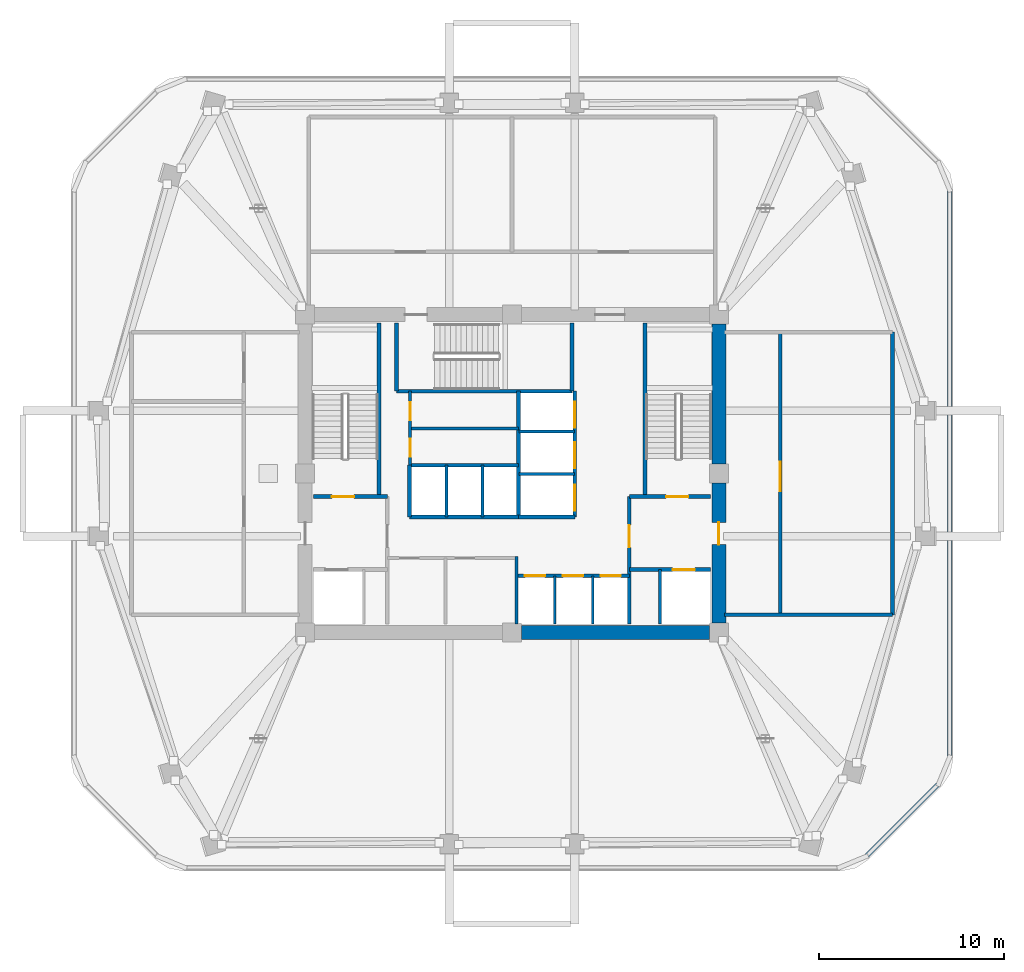
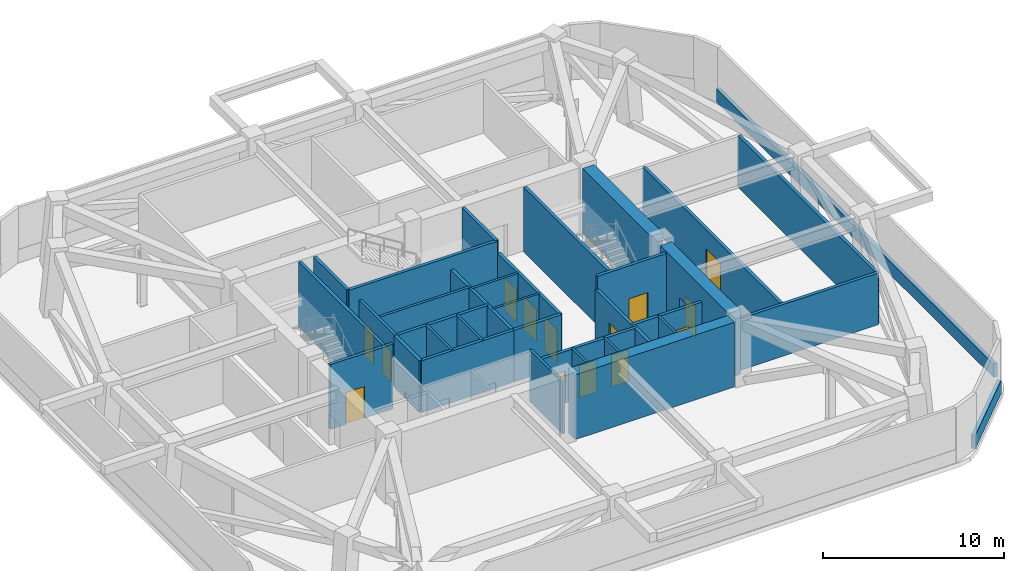
# One storey, part 4 of 8: 34 walls, 14 doors, 14 openings.
"""IFC4 building model written with IfcOpenShell, lengths in metres."""

from ifc_helpers import new_model, si_unit, derived_unit, direction, frame, frame_2d, origin, place, context, subcontext, project, spatial, rectangle, extrude, material, layer, layer_set, type_object, element, fill, save


model = new_model("IFC4")

# Units and contexts
model_context = context("Model", 3, precision=1e-05, world=origin(), true_north=direction((0.0, 1.0)))
body_context = subcontext(model_context, "Body", "Model", "MODEL_VIEW")
ifc_project = project(units=[si_unit("LENGTHUNIT", "METRE"), si_unit("AREAUNIT", "SQUARE_METRE"), si_unit("VOLUMEUNIT", "CUBIC_METRE"), si_unit("PLANEANGLEUNIT", "RADIAN"), si_unit("MASSUNIT", "GRAM", prefix="KILO"), derived_unit("THERMALTRANSMITTANCEUNIT", [(si_unit("POWERUNIT", "WATT"), 1), (si_unit("LENGTHUNIT", "METRE"), -2), (si_unit("THERMODYNAMICTEMPERATUREUNIT", "KELVIN"), -1)])], contexts=[model_context])

# Site, building, storey
site_placement = place(None, origin())
site = spatial("IfcSite", under=ifc_project, at=site_placement, CompositionType="ELEMENT")
building_placement = place(site_placement, origin())
building = spatial("IfcBuilding", under=site, at=building_placement, Name="Koralith Skygarden Medical Center", CompositionType="ELEMENT")
storey_placement = place(building_placement, frame((0.0, 0.0, 124.3798828125)))
storey = spatial("IfcBuildingStorey", under=building, at=storey_placement, Name="L32", CompositionType="ELEMENT", Elevation=124.3798828125)

# Wall, opening, door
ifc_material_1 = material(Name="Gypsum Board Partition")
ifc_layer_1 = layer(ifc_material_1, 0.199951171875)
ifc_layer_set_1 = layer_set([ifc_layer_1], Name="Gypsum Board Partition")
wall_type_1 = type_object("IfcWallType", Name="Fire Shaft Wall 200", PredefinedType="SOLIDWALL", material=ifc_layer_set_1)
wall_1_placement = place(storey_placement, frame((43.35009765625, 20.699951171875, 0.0), z_axis=(0.0, 0.0, 1.0), x_axis=(1.0, 0.0, 0.0)))
wall_1 = element("IfcWall", 1, at=wall_1_placement, inside=storey, type_object=wall_type_1, Name="L32 Fire Shaft Wall 200 W-CORE-L32-FF2-N", PredefinedType="SOLIDWALL", context=body_context, shape_type="SweptSolid", body=[
    extrude(rectangle(XDim=4.39990234375, YDim=0.199951171875, at=frame_2d((2.199951171875, 0.0))), origin(), (0.0, 0.0, 1.0), 3.490234375),
])
opening_1_placement = place(wall_1_placement, frame((2.35009765625, 0.0, 0.0)))
opening_1 = element("IfcOpeningElement", 2, at=opening_1_placement, cuts=wall_1, Name="Opening LD-FF", PredefinedType="OPENING", context=body_context, shape_type="SweptSolid", body=[
    extrude(rectangle(XDim=1.199951171875, YDim=2.14990234375, at=frame_2d((0.60009765625, 1.074951171875))), frame((0.0, 0.10986328125, 0.0), z_axis=(0.0, -1.0, 0.0), x_axis=(1.0, 0.0, 0.0)), (0.0, 0.0, 1.0), 0.219970703125),
])
ifc_material_2 = material(Name="Steel ASTM A500 Grade C", Category="steel")
door_type_1 = type_object("IfcDoorType", Name="Fire Lift Sliding Landing Door LD-FF 1200", OperationType="NOTDEFINED", PredefinedType="DOOR", material=ifc_material_2)
door_1_placement = place(opening_1_placement, origin())
door_1 = element("IfcDoor", 3, at=door_1_placement, inside=storey, type_object=door_type_1, Name="L32 Fire Service Elevator FF2 Landing Door", OperationType="SLIDING_TO_RIGHT", OverallHeight=2.14990234375, OverallWidth=1.199951171875, PredefinedType="DOOR", context=body_context, shape_type="SweptSolid", body=[
    extrude(rectangle(XDim=1.199951171875, YDim=2.14990234375, at=frame_2d((0.60009765625, 1.074951171875))), frame((0.0, 0.02490234375, 0.0), z_axis=(0.0, -1.0, 0.0), x_axis=(1.0, 0.0, 0.0)), (0.0, 0.0, 1.0), 0.050048828125),
])
fill(opening_1, door_1)

wall_2_placement = place(storey_placement, frame((43.35009765625, 17.75, 0.0), z_axis=(0.0, 0.0, 1.0), x_axis=(0.0, 1.0, 0.0)))
wall_2 = element("IfcWall", 4, at=wall_2_placement, inside=storey, type_object=wall_type_1, Name="L32 Fire Shaft Wall 200 W-CORE-L32-FSAEE-W", PredefinedType="SOLIDWALL", context=body_context, shape_type="SweptSolid", body=[
    extrude(rectangle(XDim=6.89990234375, YDim=0.199951171875, at=frame_2d((3.449951171875, 0.0))), origin(), (0.0, 0.0, 1.0), 3.490234375),
])
opening_2_placement = place(wall_2_placement, frame((4.14990234375, 0.0, 0.0)))
opening_2 = element("IfcOpeningElement", 5, at=opening_2_placement, cuts=wall_2, Name="Opening D-ST60", PredefinedType="OPENING", context=body_context, shape_type="SweptSolid", body=[
    extrude(rectangle(XDim=1.199951171875, YDim=2.14990234375, at=frame_2d((0.60009765625, 1.074951171875))), frame((0.0, 0.10986328125, 0.0), z_axis=(0.0, -1.0, 0.0), x_axis=(1.0, 0.0, 0.0)), (0.0, 0.0, 1.0), 0.219970703125),
])
door_type_2 = type_object("IfcDoorType", Name="Smokeproof Stair Fire Door FD60S 1200", OperationType="NOTDEFINED", PredefinedType="DOOR", material=ifc_material_2)
door_2_placement = place(opening_2_placement, frame((1.199951171875, 0.0, 0.0), z_axis=(0.0, 0.0, 1.0), x_axis=(-1.0, 0.0, 0.0)))
door_2 = element("IfcDoor", 6, at=door_2_placement, inside=storey, type_object=door_type_2, Name="L32 East Firefighting Lobby Inner Fire Door", OperationType="SINGLE_SWING_RIGHT", OverallHeight=2.14990234375, OverallWidth=1.199951171875, PredefinedType="DOOR", context=body_context, shape_type="SweptSolid", body=[
    extrude(rectangle(XDim=1.199951171875, YDim=2.14990234375, at=frame_2d((0.60009765625, 1.074951171875))), frame((0.0, 0.02490234375, 0.0), z_axis=(0.0, -1.0, 0.0), x_axis=(1.0, 0.0, 0.0)), (0.0, 0.0, 1.0), 0.050048828125),
])
fill(opening_2, door_2)

# Wall, openings, doors
wall_3_placement = place(storey_placement, frame((37.25, 20.360107421875, 0.0), z_axis=(0.0, 0.0, 1.0), x_axis=(1.0, 0.0, 0.0)))
wall_3 = element("IfcWall", 7, at=wall_3_placement, inside=storey, type_object=wall_type_1, Name="L32 Fire Shaft Wall 200 W-CORE-L32-PM-N", PredefinedType="SOLIDWALL", context=body_context, shape_type="SweptSolid", body=[
    extrude(rectangle(XDim=6.10009765625, YDim=0.199951171875, at=frame_2d((3.050048828125, 0.0))), origin(), (0.0, 0.0, 1.0), 3.490234375),
])
opening_3_placement = place(wall_3_placement, frame((0.449951171875, 0.0, 0.0)))
opening_3 = element("IfcOpeningElement", 8, at=opening_3_placement, cuts=wall_3, Name="Opening LD-P", PredefinedType="OPENING", context=body_context, shape_type="SweptSolid", body=[
    extrude(rectangle(XDim=1.10009765625, YDim=2.14990234375, at=frame_2d((0.550048828125, 1.074951171875))), frame((0.0, 0.10986328125, 0.0), z_axis=(0.0, -1.0, 0.0), x_axis=(1.0, 0.0, 0.0)), (0.0, 0.0, 1.0), 0.219970703125),
])
opening_4_placement = place(wall_3_placement, frame((2.5, 0.0, 0.0)))
opening_4 = element("IfcOpeningElement", 9, at=opening_4_placement, cuts=wall_3, Name="Opening LD-P", PredefinedType="OPENING", context=body_context, shape_type="SweptSolid", body=[
    extrude(rectangle(XDim=1.10009765625, YDim=2.14990234375, at=frame_2d((0.550048828125, 1.074951171875))), frame((0.0, 0.10986328125, 0.0), z_axis=(0.0, -1.0, 0.0), x_axis=(1.0, 0.0, 0.0)), (0.0, 0.0, 1.0), 0.219970703125),
])
opening_5_placement = place(wall_3_placement, frame((4.550048828125, 0.0, 0.0)))
opening_5 = element("IfcOpeningElement", 10, at=opening_5_placement, cuts=wall_3, Name="Opening LD-P", PredefinedType="OPENING", context=body_context, shape_type="SweptSolid", body=[
    extrude(rectangle(XDim=1.10009765625, YDim=2.14990234375, at=frame_2d((0.550048828125, 1.074951171875))), frame((0.0, 0.10986328125, 0.0), z_axis=(0.0, -1.0, 0.0), x_axis=(1.0, 0.0, 0.0)), (0.0, 0.0, 1.0), 0.219970703125),
])
door_type_3 = type_object("IfcDoorType", Name="Passenger Lift Sliding Landing Door LD-P 1100", OperationType="NOTDEFINED", PredefinedType="DOOR", material=ifc_material_2)
door_3_placement = place(opening_3_placement, origin())
door_3 = element("IfcDoor", 11, at=door_3_placement, inside=storey, type_object=door_type_3, Name="L32 Passenger Elevator PM1 Landing Door", OperationType="SLIDING_TO_LEFT", OverallHeight=2.14990234375, OverallWidth=1.10009765625, PredefinedType="DOOR", context=body_context, shape_type="SweptSolid", body=[
    extrude(rectangle(XDim=1.10009765625, YDim=2.14990234375, at=frame_2d((0.550048828125, 1.074951171875))), frame((0.0, 0.02490234375, 0.0), z_axis=(0.0, -1.0, 0.0), x_axis=(1.0, 0.0, 0.0)), (0.0, 0.0, 1.0), 0.050048828125),
])
fill(opening_3, door_3)
door_4_placement = place(opening_4_placement, origin())
door_4 = element("IfcDoor", 12, at=door_4_placement, inside=storey, type_object=door_type_3, Name="L32 Passenger Elevator PM2 Landing Door", OperationType="SLIDING_TO_LEFT", OverallHeight=2.14990234375, OverallWidth=1.10009765625, PredefinedType="DOOR", context=body_context, shape_type="SweptSolid", body=[
    extrude(rectangle(XDim=1.10009765625, YDim=2.14990234375, at=frame_2d((0.550048828125, 1.074951171875))), frame((0.0, 0.02490234375, 0.0), z_axis=(0.0, -1.0, 0.0), x_axis=(1.0, 0.0, 0.0)), (0.0, 0.0, 1.0), 0.050048828125),
])
fill(opening_4, door_4)
door_5_placement = place(opening_5_placement, origin())
door_5 = element("IfcDoor", 13, at=door_5_placement, inside=storey, type_object=door_type_3, Name="L32 Passenger Elevator PM3 Landing Door", OperationType="SLIDING_TO_LEFT", OverallHeight=2.14990234375, OverallWidth=1.10009765625, PredefinedType="DOOR", context=body_context, shape_type="SweptSolid", body=[
    extrude(rectangle(XDim=1.10009765625, YDim=2.14990234375, at=frame_2d((0.550048828125, 1.074951171875))), frame((0.0, 0.02490234375, 0.0), z_axis=(0.0, -1.0, 0.0), x_axis=(1.0, 0.0, 0.0)), (0.0, 0.0, 1.0), 0.050048828125),
])
fill(opening_5, door_5)

# Walls
for number, where, z_axis, x_axis, name in (
    (14, (31.449951171875, 23.5400390625, 0.0), (0.0, 0.0, 1.0), (1.0, 0.0, 0.0), "L32 Fire Shaft Wall 200 W-CORE-L32-PH-S"),
    (15, (31.449951171875, 26.35009765625, 0.0), (0.0, 0.0, 1.0), (1.0, 0.0, 0.0), "L32 Fire Shaft Wall 200 W-CORE-L32-PH-N"),
):
    element("IfcWall", number, at=place(storey_placement, frame(where, z_axis=z_axis, x_axis=x_axis)), inside=storey, type_object=wall_type_1, Name=name, PredefinedType="SOLIDWALL", context=body_context, shape_type="SweptSolid", body=[
        extrude(rectangle(XDim=5.900146484375, YDim=0.199951171875, at=frame_2d((2.9501953125, 0.0))), origin(), (0.0, 0.0, 1.0), 3.490234375),
    ])
wall_4_placement = place(storey_placement, frame((31.449951171875, 23.5400390625, 0.0), z_axis=(0.0, 0.0, 1.0), x_axis=(0.0, 1.0, 0.0)))
element("IfcWall", 16, at=wall_4_placement, inside=storey, type_object=wall_type_1, Name="L32 Fire Shaft Wall 200 W-CORE-L32-PH-W", PredefinedType="SOLIDWALL", context=body_context, shape_type="SweptSolid", body=[
    extrude(rectangle(XDim=2.81005859375, YDim=0.199951171875, at=frame_2d((1.405029296875, 0.0))), origin(), (0.0, 0.0, 1.0), 3.490234375),
])
wall_5_placement = place(storey_placement, frame((37.35009765625, 23.5400390625, 0.0), z_axis=(0.0, 0.0, 1.0), x_axis=(0.0, 1.0, 0.0)))
element("IfcWall", 17, at=wall_5_placement, inside=storey, type_object=wall_type_1, Name="L32 Fire Shaft Wall 200 W-CORE-L32-SV-W", PredefinedType="SOLIDWALL", context=body_context, shape_type="SweptSolid", body=[
    extrude(rectangle(XDim=6.820068359375, YDim=0.199951171875, at=frame_2d((3.41015625, 0.0))), origin(), (0.0, 0.0, 1.0), 3.490234375),
])
wall_6_placement = place(storey_placement, frame((37.35009765625, 23.5400390625, 0.0), z_axis=(0.0, 0.0, 1.0), x_axis=(1.0, 0.0, 0.0)))
element("IfcWall", 18, at=wall_6_placement, inside=storey, type_object=wall_type_1, Name="L32 Fire Shaft Wall 200 W-CORE-L32-SV-S", PredefinedType="SOLIDWALL", context=body_context, shape_type="SweptSolid", body=[
    extrude(rectangle(XDim=3.0498046875, YDim=0.199951171875, at=frame_2d((1.52490234375, 0.0))), origin(), (0.0, 0.0, 1.0), 3.490234375),
])

# Wall, openings, doors
wall_7_placement = place(storey_placement, frame((40.39990234375, 23.5400390625, 0.0), z_axis=(0.0, 0.0, 1.0), x_axis=(0.0, 1.0, 0.0)))
wall_7 = element("IfcWall", 19, at=wall_7_placement, inside=storey, type_object=wall_type_1, Name="L32 Fire Shaft Wall 200 W-CORE-L32-SV-E", PredefinedType="SOLIDWALL", context=body_context, shape_type="SweptSolid", body=[
    extrude(rectangle(XDim=6.820068359375, YDim=0.199951171875, at=frame_2d((3.41015625, 0.0))), origin(), (0.0, 0.0, 1.0), 3.490234375),
])
opening_6_placement = place(wall_7_placement, frame((0.35009765625, 0.0, 0.0)))
opening_6 = element("IfcOpeningElement", 20, at=opening_6_placement, cuts=wall_7, Name="Opening LD-SV", PredefinedType="OPENING", context=body_context, shape_type="SweptSolid", body=[
    extrude(rectangle(XDim=1.39990234375, YDim=2.199951171875, at=frame_2d((0.699951171875, 1.10009765625))), frame((0.0, 0.10986328125, 0.0), z_axis=(0.0, -1.0, 0.0), x_axis=(1.0, 0.0, 0.0)), (0.0, 0.0, 1.0), 0.219970703125),
])
opening_7_placement = place(wall_7_placement, frame((2.64990234375, 0.0, 0.0)))
opening_7 = element("IfcOpeningElement", 21, at=opening_7_placement, cuts=wall_7, Name="Opening LD-SV", PredefinedType="OPENING", context=body_context, shape_type="SweptSolid", body=[
    extrude(rectangle(XDim=1.39990234375, YDim=2.199951171875, at=frame_2d((0.699951171875, 1.10009765625))), frame((0.0, 0.10986328125, 0.0), z_axis=(0.0, -1.0, 0.0), x_axis=(1.0, 0.0, 0.0)), (0.0, 0.0, 1.0), 0.219970703125),
])
opening_8_placement = place(wall_7_placement, frame((4.85009765625, 0.0, 0.0)))
opening_8 = element("IfcOpeningElement", 22, at=opening_8_placement, cuts=wall_7, Name="Opening LD-SV", PredefinedType="OPENING", context=body_context, shape_type="SweptSolid", body=[
    extrude(rectangle(XDim=1.39990234375, YDim=2.199951171875, at=frame_2d((0.699951171875, 1.10009765625))), frame((0.0, 0.10986328125, 0.0), z_axis=(0.0, -1.0, 0.0), x_axis=(1.0, 0.0, 0.0)), (0.0, 0.0, 1.0), 0.219970703125),
])
door_type_4 = type_object("IfcDoorType", Name="Bed Lift Sliding Landing Door LD-SV 1400", OperationType="NOTDEFINED", PredefinedType="DOOR", material=ifc_material_2)
door_6_placement = place(opening_6_placement, origin())
door_6 = element("IfcDoor", 23, at=door_6_placement, inside=storey, type_object=door_type_4, Name="L32 Bed Elevator BD1 Landing Door", OperationType="SLIDING_TO_LEFT", OverallHeight=2.199951171875, OverallWidth=1.39990234375, PredefinedType="DOOR", context=body_context, shape_type="SweptSolid", body=[
    extrude(rectangle(XDim=1.39990234375, YDim=2.199951171875, at=frame_2d((0.699951171875, 1.10009765625))), frame((0.0, 0.02490234375, 0.0), z_axis=(0.0, -1.0, 0.0), x_axis=(1.0, 0.0, 0.0)), (0.0, 0.0, 1.0), 0.050048828125),
])
fill(opening_6, door_6)
door_7_placement = place(opening_7_placement, origin())
door_7 = element("IfcDoor", 24, at=door_7_placement, inside=storey, type_object=door_type_4, Name="L32 Service Elevator BD2 Landing Door", OperationType="SLIDING_TO_LEFT", OverallHeight=2.199951171875, OverallWidth=1.39990234375, PredefinedType="DOOR", context=body_context, shape_type="SweptSolid", body=[
    extrude(rectangle(XDim=1.39990234375, YDim=2.199951171875, at=frame_2d((0.699951171875, 1.10009765625))), frame((0.0, 0.02490234375, 0.0), z_axis=(0.0, -1.0, 0.0), x_axis=(1.0, 0.0, 0.0)), (0.0, 0.0, 1.0), 0.050048828125),
])
fill(opening_7, door_7)
door_8_placement = place(opening_8_placement, origin())
door_8 = element("IfcDoor", 25, at=door_8_placement, inside=storey, type_object=door_type_4, Name="L32 Trauma Elevator TR1 Landing Door", OperationType="SLIDING_TO_RIGHT", OverallHeight=2.199951171875, OverallWidth=1.39990234375, PredefinedType="DOOR", context=body_context, shape_type="SweptSolid", body=[
    extrude(rectangle(XDim=1.39990234375, YDim=2.199951171875, at=frame_2d((0.699951171875, 1.10009765625))), frame((0.0, 0.02490234375, 0.0), z_axis=(0.0, -1.0, 0.0), x_axis=(1.0, 0.0, 0.0)), (0.0, 0.0, 1.0), 0.050048828125),
])
fill(opening_8, door_8)

# Walls
wall_8_placement = place(storey_placement, frame((48.5, 18.25, 0.0), z_axis=(0.0, 0.0, 1.0), x_axis=(1.0, 0.0, 0.0)))
element("IfcWall", 26, at=wall_8_placement, inside=storey, type_object=wall_type_1, Name="L32 Fire Shaft Wall 200 W-PL-L32-EC-S", PredefinedType="SOLIDWALL", context=body_context, shape_type="SweptSolid", body=[
    extrude(rectangle(XDim=9.10009765625, YDim=0.199951171875, at=frame_2d((4.550048828125, 0.0))), origin(), (0.0, 0.0, 1.0), 3.490234375),
])
wall_9_placement = place(storey_placement, frame((57.60009765625, 18.25, 0.0), z_axis=(0.0, 0.0, 1.0), x_axis=(0.0, 1.0, 0.0)))
element("IfcWall", 27, at=wall_9_placement, inside=storey, type_object=wall_type_1, Name="L32 Fire Shaft Wall 200 W-PL-L32-EP-E", PredefinedType="SOLIDWALL", context=body_context, shape_type="SweptSolid", body=[
    extrude(rectangle(XDim=15.300048828125, YDim=0.199951171875, at=frame_2d((7.64990234375, 0.0))), origin(), (0.0, 0.0, 1.0), 3.490234375),
])

# Wall, opening, door
wall_10_placement = place(storey_placement, frame((51.52001953125, 18.25, 0.0), z_axis=(0.0, 0.0, 1.0), x_axis=(0.0, 1.0, 0.0)))
wall_10 = element("IfcWall", 28, at=wall_10_placement, inside=storey, type_object=wall_type_1, Name="L32 Fire Shaft Wall 200 W-PL-L32-EC-E1", PredefinedType="SOLIDWALL", context=body_context, shape_type="SweptSolid", body=[
    extrude(rectangle(XDim=15.300048828125, YDim=0.199951171875, at=frame_2d((7.64990234375, 0.0))), origin(), (0.0, 0.0, 1.0), 3.490234375),
])
opening_9_placement = place(wall_10_placement, frame((6.699951171875, 0.0, 0.0)))
opening_9 = element("IfcOpeningElement", 29, at=opening_9_placement, cuts=wall_10, Name="Opening D-DBL", PredefinedType="OPENING", context=body_context, shape_type="SweptSolid", body=[
    extrude(rectangle(XDim=1.60009765625, YDim=2.199951171875, at=frame_2d((0.800048828125, 1.10009765625))), frame((0.0, 0.10986328125, 0.0), z_axis=(0.0, -1.0, 0.0), x_axis=(1.0, 0.0, 0.0)), (0.0, 0.0, 1.0), 0.219970703125),
])
ifc_material_3 = material(Name="Aluminium 6063-T6", Category="aluminium")
door_type_5 = type_object("IfcDoorType", Name="Double Clinical Suite Door D-DBL 1600", OperationType="NOTDEFINED", PredefinedType="DOOR", material=ifc_material_3)
door_9_placement = place(opening_9_placement, origin())
door_9 = element("IfcDoor", 30, at=door_9_placement, inside=storey, type_object=door_type_5, Name="L32 East Pressurized Smoke Refuge Area Fire Door", OperationType="DOUBLE_DOOR_SINGLE_SWING", OverallHeight=2.199951171875, OverallWidth=1.60009765625, PredefinedType="DOOR", context=body_context, shape_type="SweptSolid", body=[
    extrude(rectangle(XDim=1.60009765625, YDim=2.199951171875, at=frame_2d((0.800048828125, 1.10009765625))), frame((0.0, 0.02490234375, 0.0), z_axis=(0.0, -1.0, 0.0), x_axis=(1.0, 0.0, 0.0)), (0.0, 0.0, 1.0), 0.050048828125),
])
fill(opening_9, door_9)

# Walls
ifc_material_4 = material(Name="Warm Oolitic Limestone Cladding", Category="masonry")
ifc_layer_2 = layer(ifc_material_4, 0.239990234375)
ifc_layer_set_2 = layer_set([ifc_layer_2], Name="Warm Oolitic Limestone Cladding")
wall_type_2 = type_object("IfcWallType", Name="Limestone Spandrel Sill Backup Wall 240", PredefinedType="SOLIDWALL", material=ifc_layer_set_2)
wall_11_placement = place(storey_placement, frame((56.173095703125, 5.166015625, 0.0), z_axis=(0.0, 0.0, 1.0), x_axis=(0.707084777957, 0.707128783731, 0.0)))
element("IfcWall", 31, at=wall_11_placement, inside=storey, type_object=wall_type_2, Name="L32 Plant Sill Backup Wall SE", PredefinedType="SOLIDWALL", context=body_context, shape_type="SweptSolid", body=[
    extrude(rectangle(XDim=5.5478515625, YDim=0.239990234375, at=frame_2d((2.77392578125, 0.0))), origin(), (0.0, 0.0, 1.0), 0.900146484375),
])
wall_12_placement = place(storey_placement, frame((60.697021484375, 10.5400390625, 0.0), z_axis=(0.0, 0.0, 1.0), x_axis=(0.0, 1.0, 0.0)))
element("IfcWall", 32, at=wall_12_placement, inside=storey, type_object=wall_type_2, Name="L32 Plant Sill Backup Wall E", PredefinedType="SOLIDWALL", context=body_context, shape_type="SweptSolid", body=[
    extrude(rectangle(XDim=30.719970703125, YDim=0.239990234375, at=frame_2d((15.35986328125, 0.0))), origin(), (0.0, 0.0, 1.0), 0.900146484375),
])
ifc_material_5 = material(Name="Concrete C70/85", Category="concrete")
ifc_layer_3 = layer(ifc_material_5, 0.75)
ifc_layer_set_3 = layer_set([ifc_layer_3], Name="Concrete C70/85")
wall_type_3 = type_object("IfcWallType", Name="Mid Core Shear Wall 750", PredefinedType="SHEAR", material=ifc_layer_set_3)
wall_13_placement = place(storey_placement, frame((37.5048828125, 17.300048828125, 0.0), z_axis=(0.0, 0.0, 1.0), x_axis=(1.0, 0.0, 0.0)))
element("IfcWall", 33, at=wall_13_placement, inside=storey, type_object=wall_type_3, Name="L32 Core Shear Wall Segment 2", PredefinedType="SHEAR", context=body_context, shape_type="SweptSolid", body=[
    extrude(rectangle(XDim=10.190185546875, YDim=0.75, at=frame_2d((5.09521484375, 0.0))), origin(), (0.0, 0.0, 1.0), 4.380126953125),
])

# Wall, opening, door
wall_14_placement = place(storey_placement, frame((48.199951171875, 17.804931640625, 0.0), z_axis=(0.0, 0.0, 1.0), x_axis=(0.0, 1.0, 0.0)))
wall_14 = element("IfcWall", 34, at=wall_14_placement, inside=storey, type_object=wall_type_3, Name="L32 Core Shear Wall Segment 3", PredefinedType="SHEAR", context=body_context, shape_type="SweptSolid", body=[
    extrude(rectangle(XDim=7.590087890625, YDim=0.75, at=frame_2d((3.794921875, 0.0))), origin(), (0.0, 0.0, 1.0), 4.380126953125),
])
opening_10_placement = place(wall_14_placement, frame((4.2451171875, 0.0, 0.0)))
opening_10 = element("IfcOpeningElement", 35, at=opening_10_placement, cuts=wall_14, Name="Opening D-ST60", PredefinedType="OPENING", context=body_context, shape_type="SweptSolid", body=[
    extrude(rectangle(XDim=1.199951171875, YDim=2.14990234375, at=frame_2d((0.60009765625, 1.074951171875))), frame((0.0, 0.385009765625, 0.0), z_axis=(0.0, -1.0, 0.0), x_axis=(1.0, 0.0, 0.0)), (0.0, 0.0, 1.0), 0.77001953125),
])
door_10_placement = place(opening_10_placement, frame((1.199951171875, 0.0, 0.0), z_axis=(0.0, 0.0, 1.0), x_axis=(-1.0, 0.0, 0.0)))
door_10 = element("IfcDoor", 36, at=door_10_placement, inside=storey, type_object=door_type_2, Name="L32 East Corridor to Firefighting Lobby Door", OperationType="SINGLE_SWING_RIGHT", OverallHeight=2.14990234375, OverallWidth=1.199951171875, PredefinedType="DOOR", context=body_context, shape_type="SweptSolid", body=[
    extrude(rectangle(XDim=1.199951171875, YDim=2.14990234375, at=frame_2d((0.60009765625, 1.074951171875))), frame((0.0, 0.02490234375, 0.0), z_axis=(0.0, -1.0, 0.0), x_axis=(1.0, 0.0, 0.0)), (0.0, 0.0, 1.0), 0.050048828125),
])
fill(opening_10, door_10)

# Wall
wall_15_placement = place(storey_placement, frame((48.199951171875, 26.405029296875, 0.0), z_axis=(0.0, 0.0, 1.0), x_axis=(0.0, 1.0, 0.0)))
element("IfcWall", 37, at=wall_15_placement, inside=storey, type_object=wall_type_3, Name="L32 Core Shear Wall Segment 4", PredefinedType="SHEAR", context=body_context, shape_type="SweptSolid", body=[
    extrude(rectangle(XDim=7.590087890625, YDim=0.75, at=frame_2d((3.794921875, 0.0))), origin(), (0.0, 0.0, 1.0), 4.380126953125),
])

# Wall, openings, doors
ifc_layer_4 = layer(ifc_material_1, 0.1650390625)
ifc_layer_set_4 = layer_set([ifc_layer_4], Name="Gypsum Board Partition")
wall_type_4 = type_object("IfcWallType", Name="Plumbing Wet Wall 165", PredefinedType="PLUMBINGWALL", material=ifc_layer_set_4)
wall_16_placement = place(storey_placement, frame((31.47998046875, 26.320068359375, 0.0), z_axis=(0.0, 0.0, 1.0), x_axis=(0.0, 1.0, 0.0)))
wall_16 = element("IfcWall", 38, at=wall_16_placement, inside=storey, type_object=wall_type_4, Name="L32 Plumbing Wet Wall 165 W-CORE-L32-FLEX-W", PredefinedType="PLUMBINGWALL", context=body_context, shape_type="SweptSolid", body=[
    extrude(rectangle(XDim=4.0400390625, YDim=0.1650390625, at=frame_2d((2.02001953125, 0.0))), origin(), (0.0, 0.0, 1.0), 3.490234375),
])
opening_11_placement = place(wall_16_placement, frame((0.5, 0.0, 0.0)))
opening_11 = element("IfcOpeningElement", 39, at=opening_11_placement, cuts=wall_16, Name="Opening D-WC", PredefinedType="OPENING", context=body_context, shape_type="SweptSolid", body=[
    extrude(rectangle(XDim=0.949951171875, YDim=2.10009765625, at=frame_2d((0.47509765625, 1.050048828125))), frame((0.0, 0.092529296875, 0.0), z_axis=(0.0, -1.0, 0.0), x_axis=(1.0, 0.0, 0.0)), (0.0, 0.0, 1.0), 0.18505859375),
])
opening_12_placement = place(wall_16_placement, frame((2.449951171875, 0.0, 0.0)))
opening_12 = element("IfcOpeningElement", 40, at=opening_12_placement, cuts=wall_16, Name="Opening D-SUP", PredefinedType="OPENING", context=body_context, shape_type="SweptSolid", body=[
    extrude(rectangle(XDim=1.0, YDim=2.14990234375, at=frame_2d((0.5, 1.074951171875))), frame((0.0, 0.092529296875, 0.0), z_axis=(0.0, -1.0, 0.0), x_axis=(1.0, 0.0, 0.0)), (0.0, 0.0, 1.0), 0.18505859375),
])
door_type_6 = type_object("IfcDoorType", Name="Accessible Toilet Door D-WC 950", OperationType="NOTDEFINED", PredefinedType="DOOR", material=ifc_material_3)
door_11_placement = place(opening_11_placement, frame((0.949951171875, 0.0, 0.0), z_axis=(0.0, 0.0, 1.0), x_axis=(-1.0, 0.0, 0.0)))
door_11 = element("IfcDoor", 41, at=door_11_placement, inside=storey, type_object=door_type_6, Name="L32 Core Accessible WC Door", OperationType="SINGLE_SWING_LEFT", OverallHeight=2.10009765625, OverallWidth=0.949951171875, PredefinedType="DOOR", context=body_context, shape_type="SweptSolid", body=[
    extrude(rectangle(XDim=0.949951171875, YDim=2.10009765625, at=frame_2d((0.47509765625, 1.050048828125))), frame((0.0, 0.02490234375, 0.0), z_axis=(0.0, -1.0, 0.0), x_axis=(1.0, 0.0, 0.0)), (0.0, 0.0, 1.0), 0.050048828125),
])
fill(opening_11, door_11)
door_type_7 = type_object("IfcDoorType", Name="Clinical Support Door D-SUP 1000", OperationType="NOTDEFINED", PredefinedType="DOOR", material=ifc_material_3)
door_12_placement = place(opening_12_placement, frame((1.0, 0.0, 0.0), z_axis=(0.0, 0.0, 1.0), x_axis=(-1.0, 0.0, 0.0)))
door_12 = element("IfcDoor", 42, at=door_12_placement, inside=storey, type_object=door_type_7, Name="L32 Core Clean Utility Door", OperationType="SINGLE_SWING_RIGHT", OverallHeight=2.14990234375, OverallWidth=1.0, PredefinedType="DOOR", context=body_context, shape_type="SweptSolid", body=[
    extrude(rectangle(XDim=1.0, YDim=2.14990234375, at=frame_2d((0.5, 1.074951171875))), frame((0.0, 0.02490234375, 0.0), z_axis=(0.0, -1.0, 0.0), x_axis=(1.0, 0.0, 0.0)), (0.0, 0.0, 1.0), 0.050048828125),
])
fill(opening_12, door_12)

# Walls
wall_17_placement = place(storey_placement, frame((31.47998046875, 28.340087890625, 0.0), z_axis=(0.0, 0.0, 1.0), x_axis=(1.0, 0.0, 0.0)))
element("IfcWall", 43, at=wall_17_placement, inside=storey, type_object=wall_type_4, Name="L32 Plumbing Wet Wall 165 W-CORE-L32-FLEX-H0", PredefinedType="PLUMBINGWALL", context=body_context, shape_type="SweptSolid", body=[
    extrude(rectangle(XDim=5.8701171875, YDim=0.1650390625, at=frame_2d((2.93505859375, 0.0))), origin(), (0.0, 0.0, 1.0), 3.490234375),
])
ifc_layer_5 = layer(ifc_material_1, 0.14990234375)
ifc_layer_set_5 = layer_set([ifc_layer_5], Name="Gypsum Board Partition")
wall_type_5 = type_object("IfcWallType", Name="Shaft Partition Wall 150", PredefinedType="PARTITIONING", material=ifc_layer_set_5)
wall_18_placement = place(storey_placement, frame((45.02001953125, 17.75, 0.0), z_axis=(0.0, 0.0, 1.0), x_axis=(0.0, 1.0, 0.0)))
element("IfcWall", 44, at=wall_18_placement, inside=storey, type_object=wall_type_5, Name="L32 Shaft Partition Wall 150 W-CORE-L32-RSRE-DIV", PredefinedType="PARTITIONING", context=body_context, shape_type="SweptSolid", body=[
    extrude(rectangle(XDim=2.949951171875, YDim=0.14990234375, at=frame_2d((1.47509765625, 0.0))), origin(), (0.0, 0.0, 1.0), 3.490234375),
])
for number, where, z_axis, x_axis, name in (
    (45, (39.320068359375, 17.75, 0.0), (0.0, 0.0, 1.0), (0.0, 1.0, 0.0), "L32 Shaft Partition Wall 150 W-CORE-L32-PM-D1"),
    (46, (41.3701171875, 17.75, 0.0), (0.0, 0.0, 1.0), (0.0, 1.0, 0.0), "L32 Shaft Partition Wall 150 W-CORE-L32-PM-D2"),
):
    element("IfcWall", number, at=place(storey_placement, frame(where, z_axis=z_axis, x_axis=x_axis)), inside=storey, type_object=wall_type_5, Name=name, PredefinedType="PARTITIONING", context=body_context, shape_type="SweptSolid", body=[
        extrude(rectangle(XDim=2.610107421875, YDim=0.14990234375, at=frame_2d((1.30517578125, 0.0))), origin(), (0.0, 0.0, 1.0), 3.490234375),
    ])
wall_19_placement = place(storey_placement, frame((37.25, 17.75, 0.0), z_axis=(0.0, 0.0, 1.0), x_axis=(0.0, 1.0, 0.0)))
element("IfcWall", 47, at=wall_19_placement, inside=storey, type_object=wall_type_5, Name="L32 Shaft Partition Wall 150 W-CORE-L32-PL-PM-SEP", PredefinedType="PARTITIONING", context=body_context, shape_type="SweptSolid", body=[
    extrude(rectangle(XDim=3.64990234375, YDim=0.14990234375, at=frame_2d((1.824951171875, 0.0))), origin(), (0.0, 0.0, 1.0), 3.490234375),
])
for number, where, z_axis, x_axis, name in (
    (48, (33.449951171875, 23.5400390625, 0.0), (0.0, 0.0, 1.0), (0.0, 1.0, 0.0), "L32 Shaft Partition Wall 150 W-CORE-L32-PH-D1"),
    (49, (35.39990234375, 23.5400390625, 0.0), (0.0, 0.0, 1.0), (0.0, 1.0, 0.0), "L32 Shaft Partition Wall 150 W-CORE-L32-PH-D2"),
):
    element("IfcWall", number, at=place(storey_placement, frame(where, z_axis=z_axis, x_axis=x_axis)), inside=storey, type_object=wall_type_5, Name=name, PredefinedType="PARTITIONING", context=body_context, shape_type="SweptSolid", body=[
        extrude(rectangle(XDim=2.81005859375, YDim=0.14990234375, at=frame_2d((1.405029296875, 0.0))), origin(), (0.0, 0.0, 1.0), 3.490234375),
    ])
for number, where, z_axis, x_axis, name in (
    (50, (37.3701171875, 25.8701171875, 0.0), (0.0, 0.0, 1.0), (1.0, 0.0, 0.0), "L32 Shaft Partition Wall 150 W-CORE-L32-SV-D1"),
    (51, (37.3701171875, 28.169921875, 0.0), (0.0, 0.0, 1.0), (1.0, 0.0, 0.0), "L32 Shaft Partition Wall 150 W-CORE-L32-SV-D2"),
):
    element("IfcWall", number, at=place(storey_placement, frame(where, z_axis=z_axis, x_axis=x_axis)), inside=storey, type_object=wall_type_5, Name=name, PredefinedType="PARTITIONING", context=body_context, shape_type="SweptSolid", body=[
        extrude(rectangle(XDim=3.009765625, YDim=0.14990234375, at=frame_2d((1.5048828125, 0.0))), origin(), (0.0, 0.0, 1.0), 3.490234375),
    ])
ifc_material_6 = material(Name="Concrete C45/55", Category="concrete")
ifc_layer_6 = layer(ifc_material_6, 0.199951171875)
ifc_layer_set_6 = layer_set([ifc_layer_6], Name="Concrete C45/55")
wall_type_6 = type_object("IfcWallType", Name="Structural Stair Shaft Wall 200", PredefinedType="SHEAR", material=ifc_layer_set_6)
wall_20_placement = place(storey_placement, frame((29.800048828125, 24.64990234375, 0.0), z_axis=(0.0, 0.0, 1.0), x_axis=(0.0, 1.0, 0.0)))
element("IfcWall", 52, at=wall_20_placement, inside=storey, type_object=wall_type_6, Name="L32 Structural Stair Shaft Wall 200 W-CORE-L32-ST1-E", PredefinedType="SHEAR", context=body_context, shape_type="SweptSolid", body=[
    extrude(rectangle(XDim=9.400146484375, YDim=0.199951171875, at=frame_2d((4.7001953125, 0.0))), origin(), (0.0, 0.0, 1.0), 4.380126953125),
])

# Wall, opening, door
wall_21_placement = place(storey_placement, frame((26.25, 24.64990234375, 0.0), z_axis=(0.0, 0.0, 1.0), x_axis=(1.0, 0.0, 0.0)))
wall_21 = element("IfcWall", 53, at=wall_21_placement, inside=storey, type_object=wall_type_6, Name="L32 Structural Stair Shaft Wall 200 W-CORE-L32-ST1-S", PredefinedType="SHEAR", context=body_context, shape_type="SweptSolid", body=[
    extrude(rectangle(XDim=4.0, YDim=0.199951171875, at=frame_2d((2.0, 0.0))), origin(), (0.0, 0.0, 1.0), 4.380126953125),
])
opening_13_placement = place(wall_21_placement, frame((1.0, 0.0, 0.0)))
opening_13 = element("IfcOpeningElement", 54, at=opening_13_placement, cuts=wall_21, Name="Opening D-ST60", PredefinedType="OPENING", context=body_context, shape_type="SweptSolid", body=[
    extrude(rectangle(XDim=1.199951171875, YDim=2.14990234375, at=frame_2d((0.60009765625, 1.074951171875))), frame((0.0, 0.10986328125, 0.0), z_axis=(0.0, -1.0, 0.0), x_axis=(1.0, 0.0, 0.0)), (0.0, 0.0, 1.0), 0.219970703125),
])
door_13_placement = place(opening_13_placement, origin())
door_13 = element("IfcDoor", 55, at=door_13_placement, inside=storey, type_object=door_type_2, Name="L32 Exit Stair ST1 Fire Door", OperationType="SINGLE_SWING_LEFT", OverallHeight=2.14990234375, OverallWidth=1.199951171875, PredefinedType="DOOR", context=body_context, shape_type="SweptSolid", body=[
    extrude(rectangle(XDim=1.199951171875, YDim=2.14990234375, at=frame_2d((0.60009765625, 1.074951171875))), frame((0.0, 0.02490234375, 0.0), z_axis=(0.0, -1.0, 0.0), x_axis=(1.0, 0.0, 0.0)), (0.0, 0.0, 1.0), 0.050048828125),
])
fill(opening_13, door_13)

# Wall
wall_22_placement = place(storey_placement, frame((44.199951171875, 24.64990234375, 0.0), z_axis=(0.0, 0.0, 1.0), x_axis=(0.0, 1.0, 0.0)))
element("IfcWall", 56, at=wall_22_placement, inside=storey, type_object=wall_type_6, Name="L32 Structural Stair Shaft Wall 200 W-CORE-L32-ST2-W", PredefinedType="SHEAR", context=body_context, shape_type="SweptSolid", body=[
    extrude(rectangle(XDim=9.400146484375, YDim=0.199951171875, at=frame_2d((4.7001953125, 0.0))), origin(), (0.0, 0.0, 1.0), 4.380126953125),
])

# Wall, opening, door
wall_23_placement = place(storey_placement, frame((43.35009765625, 24.64990234375, 0.0), z_axis=(0.0, 0.0, 1.0), x_axis=(1.0, 0.0, 0.0)))
wall_23 = element("IfcWall", 57, at=wall_23_placement, inside=storey, type_object=wall_type_6, Name="L32 Structural Stair Shaft Wall 200 W-CORE-L32-ST2-S", PredefinedType="SHEAR", context=body_context, shape_type="SweptSolid", body=[
    extrude(rectangle(XDim=4.39990234375, YDim=0.199951171875, at=frame_2d((2.199951171875, 0.0))), origin(), (0.0, 0.0, 1.0), 4.380126953125),
])
opening_14_placement = place(wall_23_placement, frame((2.0, 0.0, 0.0)))
opening_14 = element("IfcOpeningElement", 58, at=opening_14_placement, cuts=wall_23, Name="Opening D-ST60", PredefinedType="OPENING", context=body_context, shape_type="SweptSolid", body=[
    extrude(rectangle(XDim=1.199951171875, YDim=2.14990234375, at=frame_2d((0.60009765625, 1.074951171875))), frame((0.0, 0.10986328125, 0.0), z_axis=(0.0, -1.0, 0.0), x_axis=(1.0, 0.0, 0.0)), (0.0, 0.0, 1.0), 0.219970703125),
])
door_14_placement = place(opening_14_placement, origin())
door_14 = element("IfcDoor", 59, at=door_14_placement, inside=storey, type_object=door_type_2, Name="L32 Exit Stair ST2 Fire Door", OperationType="SINGLE_SWING_RIGHT", OverallHeight=2.14990234375, OverallWidth=1.199951171875, PredefinedType="DOOR", context=body_context, shape_type="SweptSolid", body=[
    extrude(rectangle(XDim=1.199951171875, YDim=2.14990234375, at=frame_2d((0.60009765625, 1.074951171875))), frame((0.0, 0.02490234375, 0.0), z_axis=(0.0, -1.0, 0.0), x_axis=(1.0, 0.0, 0.0)), (0.0, 0.0, 1.0), 0.050048828125),
])
fill(opening_14, door_14)

# Walls
wall_24_placement = place(storey_placement, frame((30.75, 30.360107421875, 0.0), z_axis=(0.0, 0.0, 1.0), x_axis=(1.0, 0.0, 0.0)))
element("IfcWall", 60, at=wall_24_placement, inside=storey, type_object=wall_type_6, Name="L32 Structural Stair Shaft Wall 200 W-CORE-L32-ST3-S", PredefinedType="SHEAR", context=body_context, shape_type="SweptSolid", body=[
    extrude(rectangle(XDim=9.5, YDim=0.199951171875, at=frame_2d((4.75, 0.0))), origin(), (0.0, 0.0, 1.0), 4.380126953125),
])
for number, where, z_axis, x_axis, name in (
    (61, (30.75, 30.360107421875, 0.0), (0.0, 0.0, 1.0), (0.0, 1.0, 0.0), "L32 Structural Stair Shaft Wall 200 W-CORE-L32-ST3-W"),
    (62, (40.25, 30.360107421875, 0.0), (0.0, 0.0, 1.0), (0.0, 1.0, 0.0), "L32 Structural Stair Shaft Wall 200 W-CORE-L32-ST3-E"),
):
    element("IfcWall", number, at=place(storey_placement, frame(where, z_axis=z_axis, x_axis=x_axis)), inside=storey, type_object=wall_type_6, Name=name, PredefinedType="SHEAR", context=body_context, shape_type="SweptSolid", body=[
        extrude(rectangle(XDim=3.68994140625, YDim=0.199951171875, at=frame_2d((1.844970703125, 0.0))), origin(), (0.0, 0.0, 1.0), 4.380126953125),
    ])

save(model, "model.ifc")
